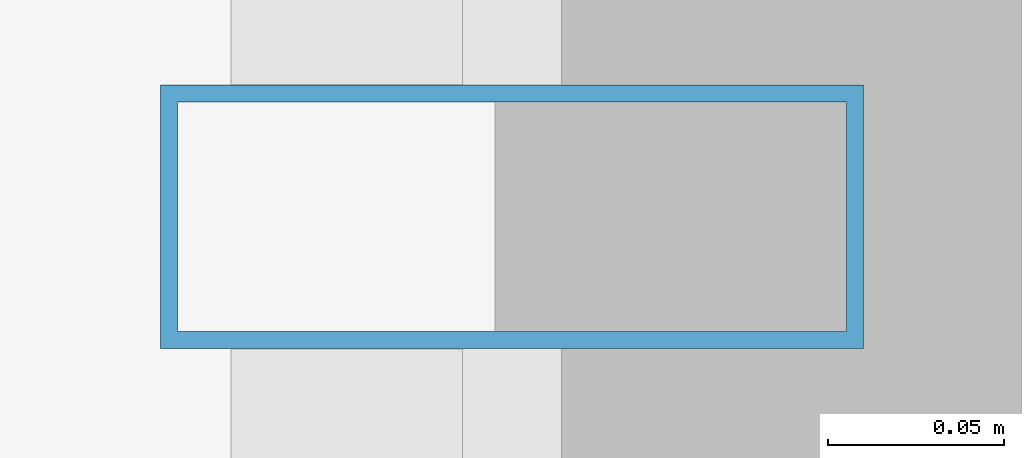
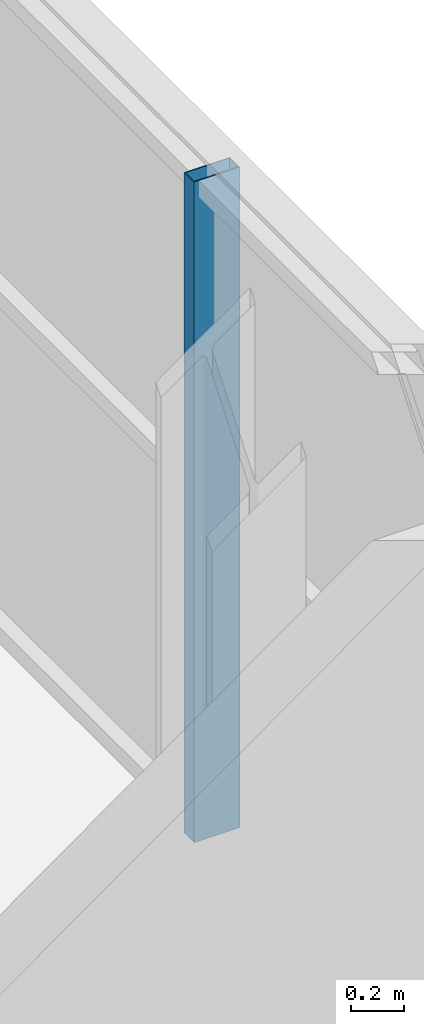
# One storey, part 15 of 32: 1 member, 1 element without a shape of its own.
"""IFC4 building model written with IfcOpenShell, lengths in metres."""

import ifcopenshell
import ifcopenshell.guid

model = None  # the IFC model being written
_history = None  # IfcOwnerHistory: only IFC2X3 demands one
_inside = {}  # id of a spatial element -> (the spatial element, [elements in it])
_under = {}  # id of a project, library or spatial element -> (it, [spatial elements below it])
_declared = {}  # id of a project -> (the project, [libraries it declares])
_typed = {}  # id of a type object -> (the type object, [elements of that type])
_made_of = {}  # id of a material, layer set ... -> (it, [elements and type objects made of it])


def new_model(schema):
    """Start an empty IFC model of exactly this schema.

    Asked for "IFC4X3", IfcOpenShell would pick the latest addendum, in which some entities
    have other attributes; the version numbers below select the first issue.
    IFC2X3 requires an IfcOwnerHistory on every rooted entity: one is made here for all.
    """
    global model, _history
    if schema == "IFC4X3":
        model = ifcopenshell.file(schema_version=(4, 3, 0, 0))
    else:
        model = ifcopenshell.file(schema=schema)
    _inside.clear()
    _under.clear()
    _declared.clear()
    _typed.clear()
    _made_of.clear()
    _history = None
    if model.schema == "IFC2X3":
        org = make("IfcOrganization", Name="unknown")
        user = make(
            "IfcPersonAndOrganization",
            ThePerson=make("IfcPerson", FamilyName="unknown"),
            TheOrganization=org,
        )
        app = make(
            "IfcApplication",
            ApplicationDeveloper=org,
            Version="unknown",
            ApplicationFullName="unknown",
            ApplicationIdentifier="unknown",
        )
        _history = make(
            "IfcOwnerHistory",
            OwningUser=user,
            OwningApplication=app,
            ChangeAction="ADDED",
            CreationDate=0,
        )
    return model


def make(cls, **values):
    """One entity of the class cls with the attributes given. An attribute that is None is left unset."""
    return model.create_entity(
        cls, **{name: value for name, value in values.items() if value is not None}
    )


def rooted(cls, **values):
    """An entity with a GlobalId (a new one), such as an element, a storey or a relation."""
    return make(cls, GlobalId=ifcopenshell.guid.new(), OwnerHistory=_history, **values)


def si_unit(unit_type, name, prefix=None):
    """IfcSIUnit, for example si_unit("LENGTHUNIT", "METRE", prefix="MILLI")."""
    return make("IfcSIUnit", UnitType=unit_type, Prefix=prefix, Name=name)


def assignment(units):
    """IfcUnitAssignment: the units of a project."""
    return None if units is None else make("IfcUnitAssignment", Units=units)


def point(xyz):
    """IfcCartesianPoint."""
    return None if xyz is None else make("IfcCartesianPoint", Coordinates=xyz)


def direction(xyz):
    """IfcDirection."""
    return None if xyz is None else make("IfcDirection", DirectionRatios=xyz)


def frame(location, z_axis=None, x_axis=None):
    """IfcAxis2Placement3D, a coordinate frame: its origin and axes. An axis left out is left unset."""
    return make(
        "IfcAxis2Placement3D",
        Location=point(location),
        Axis=direction(z_axis),
        RefDirection=direction(x_axis),
    )


def frame_2d(location, x_axis=None):
    """IfcAxis2Placement2D, a coordinate frame in the plane: its origin and x axis."""
    return make(
        "IfcAxis2Placement2D", Location=point(location), RefDirection=direction(x_axis)
    )


def origin():
    """The frame at (0, 0, 0) with its axes left unset."""
    return frame((0.0, 0.0, 0.0))


def origin_2d():
    """The frame at (0, 0) in the plane with its x axis left unset."""
    return frame_2d((0.0, 0.0))


def place(relative_to, where):
    """IfcLocalPlacement: puts the frame where relative to a parent placement (None: the world)."""
    return make(
        "IfcLocalPlacement", PlacementRelTo=relative_to, RelativePlacement=where
    )


def context(
    kind, dimensions, precision=None, world=None, true_north=None, identifier=None
):
    """IfcGeometricRepresentationContext, for example the 3D "Model" context."""
    return make(
        "IfcGeometricRepresentationContext",
        ContextIdentifier=identifier,
        ContextType=kind,
        CoordinateSpaceDimension=dimensions,
        Precision=precision,
        WorldCoordinateSystem=world,
        TrueNorth=true_north,
    )


def subcontext(parent, identifier, kind, view, scale=None):
    """IfcGeometricRepresentationSubContext, for example "Body" below "Model"."""
    return make(
        "IfcGeometricRepresentationSubContext",
        ContextIdentifier=identifier,
        ContextType=kind,
        ParentContext=parent,
        TargetScale=scale,
        TargetView=view,
    )


def project(units=None, contexts=None):
    """IfcProject with its units and contexts."""
    return rooted(
        "IfcProject",
        Name="project",
        RepresentationContexts=contexts,
        UnitsInContext=assignment(units),
    )


def spatial(cls, under=None, at=None, **own):
    """A site, building, storey or space (cls), placed at a placement, below another one or the project."""
    s = rooted(cls, ObjectPlacement=at, **own)
    if under is not None:
        _under.setdefault(under.id(), (under, []))[1].append(s)
    return s


def profile(cls, at=None, kind="AREA", **sizes):
    """A parametric profile (cls). Its sizes go by their IFC names, for example OverallWidth=200.0."""
    return make(cls, ProfileType=kind, Position=at, **sizes)


def hollow_rectangle(**sizes):
    """IfcRectangleHollowProfileDef."""
    return profile("IfcRectangleHollowProfileDef", **sizes)


def extrude(swept, where, along, depth):
    """IfcExtrudedAreaSolid: the profile swept, set in the frame where, extruded along a direction by depth."""
    return make(
        "IfcExtrudedAreaSolid",
        SweptArea=swept,
        Position=where,
        ExtrudedDirection=direction(along),
        Depth=depth,
    )


def shape(context_of_items, identifier, shape_type, items):
    """IfcShapeRepresentation: the items that make up one representation, for example the "Body"."""
    return make(
        "IfcShapeRepresentation",
        ContextOfItems=context_of_items,
        RepresentationIdentifier=identifier,
        RepresentationType=shape_type,
        Items=items,
    )


def source(mapping_origin, context_of_items, identifier, shape_type, items):
    """IfcRepresentationMap: a shape defined once, which mapped items show again and again."""
    return make(
        "IfcRepresentationMap",
        MappingOrigin=mapping_origin,
        MappedRepresentation=shape(context_of_items, identifier, shape_type, items),
    )


def transform(
    local_origin,
    x_axis=None,
    y_axis=None,
    z_axis=None,
    scale=None,
    scale2=None,
    scale3=None,
    uniform=True,
):
    """IfcCartesianTransformationOperator3D, or its non-uniform kind. x_axis, y_axis, z_axis: its Axis1, 2, 3."""
    if uniform:
        return make(
            "IfcCartesianTransformationOperator3D",
            Axis1=direction(x_axis),
            Axis2=direction(y_axis),
            LocalOrigin=point(local_origin),
            Scale=scale,
            Axis3=direction(z_axis),
        )
    return make(
        "IfcCartesianTransformationOperator3DnonUniform",
        Axis1=direction(x_axis),
        Axis2=direction(y_axis),
        LocalOrigin=point(local_origin),
        Scale=scale,
        Axis3=direction(z_axis),
        Scale2=scale2,
        Scale3=scale3,
    )


def mapped(mapping_source, mapping_target):
    """IfcMappedItem: shows the shape of a source again, moved by a transform."""
    return make(
        "IfcMappedItem", MappingSource=mapping_source, MappingTarget=mapping_target
    )


def material(Name=None, Category=None):
    """IfcMaterial."""
    return make("IfcMaterial", Name=Name, Category=Category)


def layer(
    of_material, thickness, ventilated=None, Name=None, Category=None, Priority=None
):
    """IfcMaterialLayer: one layer of a wall or slab, of a material (None: an air gap)."""
    return make(
        "IfcMaterialLayer",
        Material=of_material,
        LayerThickness=thickness,
        IsVentilated=ventilated,
        Name=Name,
        Category=Category,
        Priority=Priority,
    )


def layer_set(layers, Name=None):
    """IfcMaterialLayerSet."""
    return make("IfcMaterialLayerSet", MaterialLayers=layers, LayerSetName=Name)


def material_profile(
    of_material, cross_section, Name=None, Category=None, Priority=None
):
    """IfcMaterialProfile: a cross section and its material."""
    return make(
        "IfcMaterialProfile",
        Name=Name,
        Material=of_material,
        Profile=cross_section,
        Priority=Priority,
        Category=Category,
    )


def profile_set(profiles, Name=None, composite=None):
    """IfcMaterialProfileSet."""
    return make(
        "IfcMaterialProfileSet",
        Name=Name,
        MaterialProfiles=profiles,
        CompositeProfile=composite,
    )


def made_of(thing, what):
    """Note that an element or type object is made of a material, layer set ...; save() writes the relation."""
    if what is not None:
        _made_of.setdefault(what.id(), (what, []))[1].append(thing)
    return thing


def type_object(cls, material=None, **own):
    """A type object (cls), such as IfcWallType, which elements share."""
    return made_of(rooted(cls, **own), material)


def element(
    cls,
    number,
    at=None,
    inside=None,
    cuts=None,
    type_object=None,
    material=None,
    context=None,
    identifier="Body",
    shape_type=None,
    held_by="IfcProductDefinitionShape",
    body=None,
    shapes=None,
    **own,
):
    """One element of the class cls, such as IfcWall. Its Tag is "e" and its number.

    at: its placement. inside: the storey or other place that contains it. cuts: it is an
    opening in that element (IfcRelVoidsElement). A single representation is given by context,
    identifier, shape_type and body (its items); several are given by shapes. held_by: the class
    of the entity that holds the representations. save() writes the other relations.
    """
    e = rooted(cls, Tag="e%d" % number, ObjectPlacement=at, **own)
    if body is not None:
        shapes = [shape(context, identifier, shape_type, body)]
    if shapes is not None:
        e.Representation = make(held_by, Representations=shapes)
    if inside is not None:
        _inside.setdefault(inside.id(), (inside, []))[1].append(e)
    if cuts is not None:
        rooted(
            "IfcRelVoidsElement", RelatingBuildingElement=cuts, RelatedOpeningElement=e
        )
    if type_object is not None:
        _typed.setdefault(type_object.id(), (type_object, []))[1].append(e)
    return made_of(e, material)


def aggregate(whole, parts):
    """IfcRelAggregates: a whole, such as a stair, and the parts it consists of."""
    return rooted("IfcRelAggregates", RelatingObject=whole, RelatedObjects=parts)


def save(model, path):
    """Write the relations noted so far, then the file.

    IfcRelAggregates (storeys below a building ...), IfcRelContainedInSpatialStructure (elements
    in a storey), IfcRelDefinesByType, IfcRelAssociatesMaterial and IfcRelDeclares: one each for
    every whole, place, type object, material and project.
    """
    for whole, parts in _under.values():
        aggregate(whole, parts)
    for where, things in _inside.values():
        rooted(
            "IfcRelContainedInSpatialStructure",
            RelatedElements=things,
            RelatingStructure=where,
        )
    for kind, things in _typed.values():
        rooted("IfcRelDefinesByType", RelatedObjects=things, RelatingType=kind)
    for what, things in _made_of.values():
        rooted("IfcRelAssociatesMaterial", RelatedObjects=things, RelatingMaterial=what)
    for by, libraries in _declared.values():
        rooted("IfcRelDeclares", RelatingContext=by, RelatedDefinitions=libraries)
    model.write(path)


model = new_model("IFC4")

# Units and contexts
model_context = context("Model", 3, precision=1e-05, world=origin(), true_north=direction((0.0, 1.0)))
body_context = subcontext(model_context, "Body", "Model", "MODEL_VIEW")
ifc_project = project(units=[si_unit("LENGTHUNIT", "METRE"), si_unit("AREAUNIT", "SQUARE_METRE"), si_unit("VOLUMEUNIT", "CUBIC_METRE"), si_unit("PLANEANGLEUNIT", "RADIAN"), si_unit("MASSUNIT", "GRAM", prefix="KILO")], contexts=[model_context])

# Site, building, storey
site_placement = place(None, origin())
site = spatial("IfcSite", under=ifc_project, at=site_placement, CompositionType="ELEMENT")
building_placement = place(site_placement, origin())
building = spatial("IfcBuilding", under=site, at=building_placement, Name="Zarnakvel Exchange Tower", CompositionType="ELEMENT")
storey_placement = place(building_placement, frame((0.0, 0.0, 73.60009765625)))
storey = spatial("IfcBuildingStorey", under=building, at=storey_placement, Name="L20", CompositionType="ELEMENT", Elevation=73.60009765625)

# Curtain wall, member
ifc_material = material(Name="Architectural Bronze Anodised Aluminium", Category="aluminium")
ifc_layer = layer(ifc_material, 0.199951171875)
ifc_layer_set = layer_set([ifc_layer], Name="Architectural Bronze Anodised Aluminium")
curtain_wall_type = type_object("IfcCurtainWallType", Name="CW-04", PredefinedType="NOTDEFINED", material=ifc_layer_set)
curtain_wall_placement = place(storey_placement, origin())
curtain_wall = element("IfcCurtainWall", 1, at=curtain_wall_placement, inside=storey, type_object=curtain_wall_type, Name="L20 Curtain Wall CW-L20-E1 (CW-04)", PredefinedType="NOTDEFINED")
ifc_material_profile = material_profile(ifc_material, hollow_rectangle(XDim=0.199951171875, YDim=0.074951171875, WallThickness=0.0048828125, at=origin_2d()))
ifc_profile_set = profile_set([ifc_material_profile], Name="Architectural Bronze Anodised Aluminium")
member_type = type_object("IfcMemberType", Name="CWM-04", PredefinedType="MULLION", material=ifc_profile_set)
shared_shape = source(origin(), body_context, "Body", "SweptSolid", [
    extrude(hollow_rectangle(XDim=0.199951171875, YDim=0.074951171875, WallThickness=0.0048828125, at=origin_2d()), origin(), (0.0, 0.0, 1.0), 3.054931640625),
])
member_placement = place(storey_placement, frame((32.4599609375, 0.0, 0.0), z_axis=(0.0, 0.0, 1.0), x_axis=(-1.0, 0.0, 0.0)))
member = element("IfcMember", 2, at=member_placement, type_object=member_type, Name="CW-04 mullion 3", PredefinedType="MULLION", context=body_context, shape_type="MappedRepresentation", body=[
    mapped(shared_shape, transform((0.0, 0.0, 0.0), x_axis=(1.0, 0.0, 0.0), y_axis=(0.0, 1.0, 0.0), z_axis=(0.0, 0.0, 1.0), scale=1.0)),
])
aggregate(curtain_wall, [member])

save(model, "model.ifc")
